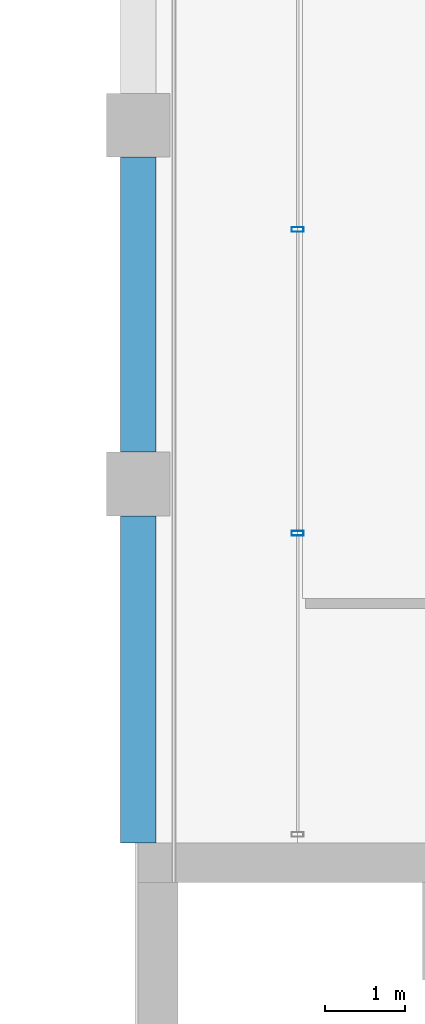
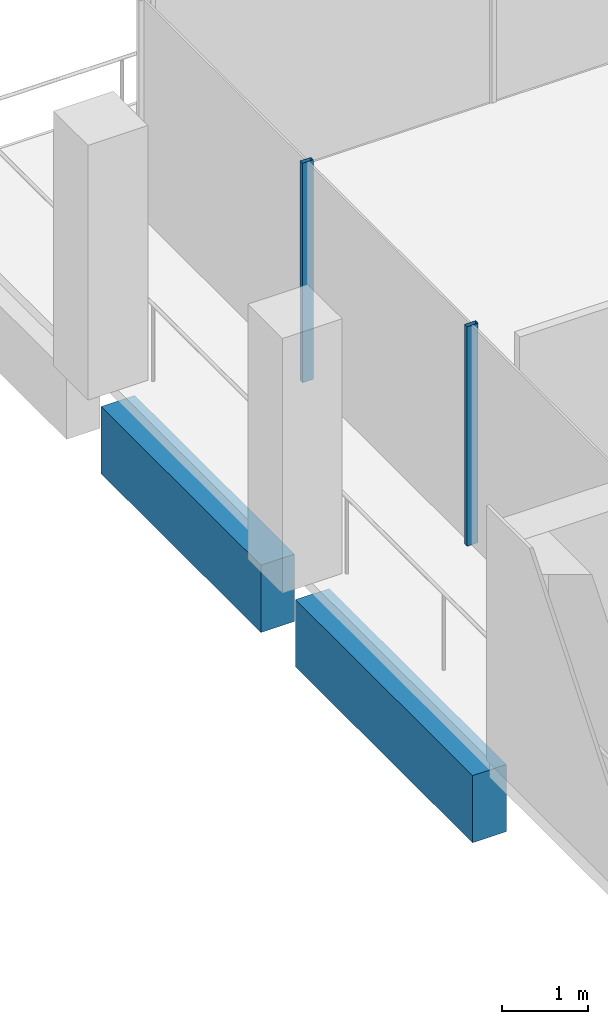
# One storey, part 20 of 30: 2 beams, 2 members, 1 element without a shape of its own.
"""IFC4 building model written with IfcOpenShell, lengths in metres."""

from ifc_helpers import new_model, si_unit, direction, frame, origin, origin_2d, place, context, subcontext, project, spatial, rectangle, hollow_rectangle, extrude, material, material_profile, profile_set, type_object, element, aggregate, save


model = new_model("IFC4")

# Units and contexts
model_context = context("Model", 3, precision=1e-05, world=origin(), true_north=direction((0.0, 1.0)))
body_context = subcontext(model_context, "Body", "Model", "MODEL_VIEW")
ifc_project = project(units=[si_unit("LENGTHUNIT", "METRE"), si_unit("AREAUNIT", "SQUARE_METRE"), si_unit("VOLUMEUNIT", "CUBIC_METRE"), si_unit("PLANEANGLEUNIT", "RADIAN"), si_unit("MASSUNIT", "GRAM", prefix="KILO")], contexts=[model_context])

# Site, building, storey
site_placement = place(None, origin())
site = spatial("IfcSite", under=ifc_project, at=site_placement, CompositionType="ELEMENT")
building_placement = place(site_placement, origin())
building = spatial("IfcBuilding", under=site, at=building_placement, Name="Altepetl Exchange Towers", CompositionType="ELEMENT")
storey_placement = place(building_placement, frame((0.0, 0.0, 228.0)))
storey = spatial("IfcBuildingStorey", under=building, at=storey_placement, Name="L58", CompositionType="ELEMENT", Elevation=228.0)

# Curtain wall, members
ifc_material_1 = material(Name="Aluminium 6063-T6 glazing", Category="aluminium")
curtain_wall_type = type_object("IfcCurtainWallType", Name="Loggia glazing system", PredefinedType="NOTDEFINED", material=ifc_material_1)
curtain_wall_placement = place(storey_placement, origin())
curtain_wall = element("IfcCurtainWall", 1, at=curtain_wall_placement, inside=storey, type_object=curtain_wall_type, Name="CW1 run", PredefinedType="NOTDEFINED")
ifc_material_2 = material(Name="Aluminium 6063-T6", Category="aluminium")
ifc_material_profile_1 = material_profile(ifc_material_2, hollow_rectangle(XDim=0.06005859375, YDim=0.14990234375, WallThickness=0.0029296875, at=origin_2d()), Name="Mullion 60x150 aluminium")
ifc_profile_set_1 = profile_set([ifc_material_profile_1], Name="Aluminium 6063-T6")
member_type = type_object("IfcMemberType", Name="Mullion 60x150 aluminium", PredefinedType="MULLION", material=ifc_profile_set_1)
member_1_placement = place(storey_placement, frame((42.5, 66.191650390625, 0.0), z_axis=(0.0, 0.0, 1.0), x_axis=(0.0, -1.0, 0.0)))
member_1 = element("IfcMember", 2, at=member_1_placement, type_object=member_type, Name="MU1 mullion", PredefinedType="MULLION", context=body_context, shape_type="SweptSolid", body=[
    extrude(hollow_rectangle(XDim=0.06005859375, YDim=0.14990234375, WallThickness=0.0029296875, at=origin_2d()), origin(), (0.0, 0.0, 1.0), 3.10009765625),
])
member_2_placement = place(storey_placement, frame((42.5, 62.38330078125, 0.0), z_axis=(0.0, 0.0, 1.0), x_axis=(0.0, -1.0, 0.0)))
member_2 = element("IfcMember", 3, at=member_2_placement, type_object=member_type, Name="MU1 mullion", PredefinedType="MULLION", context=body_context, shape_type="SweptSolid", body=[
    extrude(hollow_rectangle(XDim=0.06005859375, YDim=0.14990234375, WallThickness=0.0029296875, at=origin_2d()), origin(), (0.0, 0.0, 1.0), 3.10009765625),
])
aggregate(curtain_wall, [member_1, member_2])

# Beams
ifc_material_3 = material(Name="Concrete C50/60 precast with tezontle facing", Category="concrete")
ifc_material_profile_2 = material_profile(ifc_material_3, rectangle(XDim=0.449951171875, YDim=0.949951171875, at=origin_2d()), Name="450 x 950")
ifc_profile_set_2 = profile_set([ifc_material_profile_2], Name="Concrete C50/60 precast with tezontle facing")
beam_type = type_object("IfcBeamType", Name="Spandrel beam 450x950 tezontle", PredefinedType="SPANDREL", material=ifc_profile_set_2)
beam_1_placement = place(storey_placement, frame((40.5, 67.10009765625, -0.625), z_axis=(0.0, -1.0, 0.0), x_axis=(1.0, 0.0, 0.0)))
element("IfcBeam", 4, at=beam_1_placement, inside=storey, type_object=beam_type, Name="sp:A:L58:031", PredefinedType="SPANDREL", context=body_context, shape_type="SweptSolid", body=[
    extrude(rectangle(XDim=0.449951171875, YDim=0.949951171875, at=origin_2d()), origin(), (0.0, 0.0, 1.0), 3.7001953125),
])
beam_2_placement = place(storey_placement, frame((40.5, 62.60009765625, -0.625), z_axis=(0.0, -1.0, 0.0), x_axis=(1.0, 0.0, 0.0)))
element("IfcBeam", 5, at=beam_2_placement, inside=storey, type_object=beam_type, Name="sp:A:L58:032", PredefinedType="SPANDREL", context=body_context, shape_type="SweptSolid", body=[
    extrude(rectangle(XDim=0.449951171875, YDim=0.949951171875, at=origin_2d()), origin(), (0.0, 0.0, 1.0), 4.10009765625),
])

save(model, "model.ifc")
